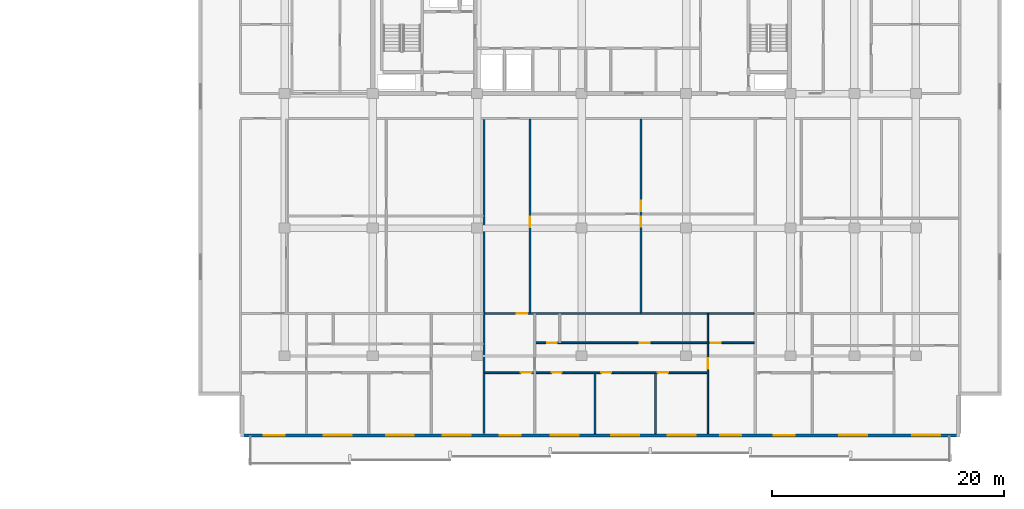
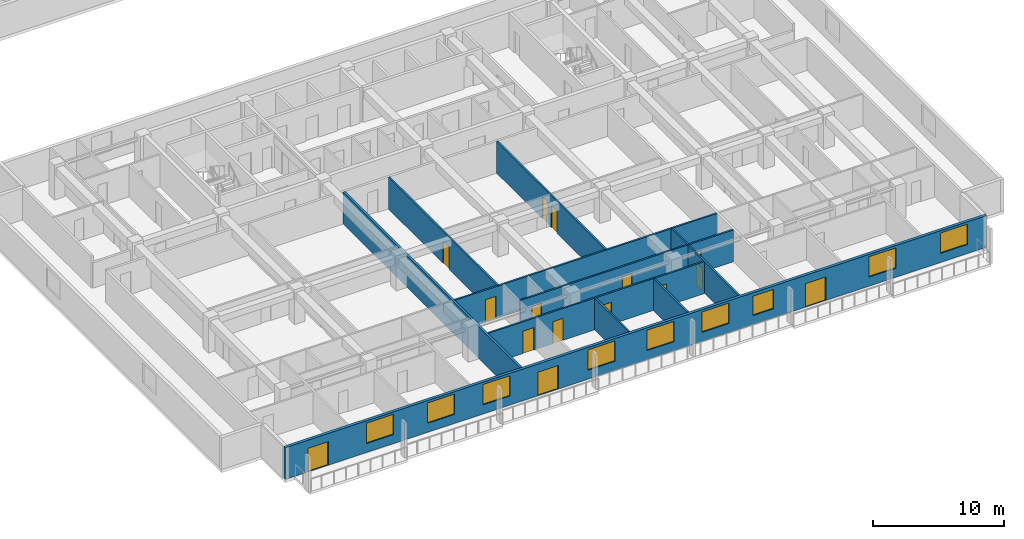
# One storey, part 4 of 23: 15 doors, 11 walls, 9 windows, 24 openings.
"""IFC4 building model written with IfcOpenShell, lengths in metres."""

from ifc_helpers import new_model, si_unit, direction, frame, frame_2d, origin, place, context, subcontext, project, spatial, rectangle, extrude, material, layer, layer_set, type_object, element, fill, save


model = new_model("IFC4")

# Units and contexts
model_context = context("Model", 3, precision=1e-05, world=origin(), true_north=direction((0.0, 1.0)))
body_context = subcontext(model_context, "Body", "Model", "MODEL_VIEW")
ifc_project = project(units=[si_unit("LENGTHUNIT", "METRE"), si_unit("AREAUNIT", "SQUARE_METRE"), si_unit("VOLUMEUNIT", "CUBIC_METRE"), si_unit("PLANEANGLEUNIT", "RADIAN"), si_unit("MASSUNIT", "GRAM", prefix="KILO")], contexts=[model_context])

# Site, building, storey
site_placement = place(None, origin())
site = spatial("IfcSite", under=ifc_project, at=site_placement, CompositionType="ELEMENT")
building_placement = place(site_placement, origin())
building = spatial("IfcBuilding", under=site, at=building_placement, Name="Korimba Cascade Residences", CompositionType="ELEMENT")
storey_placement = place(building_placement, frame((0.0, 0.0, 56.5)))
storey = spatial("IfcBuildingStorey", under=building, at=storey_placement, Name="L15", CompositionType="ELEMENT", Elevation=56.5)

# Wall, openings, doors, windows
ifc_material_1 = material(Name="Precast concrete C40/50", Category="concrete")
ifc_layer_1 = layer(ifc_material_1, 0.25)
ifc_layer_set_1 = layer_set([ifc_layer_1], Name="Precast concrete C40/50")
wall_type_1 = type_object("IfcWallType", Name="EW-LOG-250", PredefinedType="STANDARD", material=ifc_layer_set_1)
wall_1_placement = place(storey_placement, frame((70.699951171875, -11.050048828125, 0.0), z_axis=(0.0, 0.0, 1.0), x_axis=(1.0, 0.0, 0.0)))
wall_1 = element("IfcWall", 1, at=wall_1_placement, inside=storey, type_object=wall_type_1, Name="L15 T2 Perimeter Stone Wall E00", PredefinedType="STANDARD", context=body_context, shape_type="SweptSolid", body=[
    extrude(rectangle(XDim=62.0, YDim=0.25, at=frame_2d((31.0, 0.0))), origin(), (0.0, 0.0, 1.0), 2.969970703125),
])
opening_1_placement = place(wall_1_placement, frame((7.169677734375, 0.0, 0.85009765625)))
opening_1 = element("IfcOpeningElement", 2, at=opening_1_placement, cuts=wall_1, Name="Opening W-01", PredefinedType="OPENING", context=body_context, shape_type="SweptSolid", body=[
    extrude(rectangle(XDim=2.39990234375, YDim=1.89990234375, at=frame_2d((1.199951171875, 0.949951171875))), frame((0.0, 0.135009765625, 0.0), z_axis=(0.0, -1.0, 0.0), x_axis=(1.0, 0.0, 0.0)), (0.0, 0.0, 1.0), 0.27001953125),
])
opening_2_placement = place(wall_1_placement, frame((12.548828125, 0.0, 0.85009765625)))
opening_2 = element("IfcOpeningElement", 3, at=opening_2_placement, cuts=wall_1, Name="Opening W-01", PredefinedType="OPENING", context=body_context, shape_type="SweptSolid", body=[
    extrude(rectangle(XDim=2.39990234375, YDim=1.89990234375, at=frame_2d((1.199951171875, 0.949951171875))), frame((0.0, 0.135009765625, 0.0), z_axis=(0.0, -1.0, 0.0), x_axis=(1.0, 0.0, 0.0)), (0.0, 0.0, 1.0), 0.27001953125),
])
opening_3_placement = place(wall_1_placement, frame((2.0, 0.0, 0.0)))
opening_3 = element("IfcOpeningElement", 4, at=opening_3_placement, cuts=wall_1, Name="Opening D-LG1", PredefinedType="OPENING", context=body_context, shape_type="SweptSolid", body=[
    extrude(rectangle(XDim=1.800048828125, YDim=2.199951171875, at=frame_2d((0.89990234375, 1.10009765625))), frame((0.0, 0.135009765625, 0.0), z_axis=(0.0, -1.0, 0.0), x_axis=(1.0, 0.0, 0.0)), (0.0, 0.0, 1.0), 0.27001953125),
])
opening_4_placement = place(wall_1_placement, frame((17.45361328125, 0.0, 0.85009765625)))
opening_4 = element("IfcOpeningElement", 5, at=opening_4_placement, cuts=wall_1, Name="Opening W-01", PredefinedType="OPENING", context=body_context, shape_type="SweptSolid", body=[
    extrude(rectangle(XDim=2.39990234375, YDim=1.89990234375, at=frame_2d((1.199951171875, 0.949951171875))), frame((0.0, 0.135009765625, 0.0), z_axis=(0.0, -1.0, 0.0), x_axis=(1.0, 0.0, 0.0)), (0.0, 0.0, 1.0), 0.27001953125),
])
opening_5_placement = place(wall_1_placement, frame((26.758544921875, 0.0, 0.85009765625)))
opening_5 = element("IfcOpeningElement", 6, at=opening_5_placement, cuts=wall_1, Name="Opening W-01", PredefinedType="OPENING", context=body_context, shape_type="SweptSolid", body=[
    extrude(rectangle(XDim=2.39990234375, YDim=1.89990234375, at=frame_2d((1.199951171875, 0.949951171875))), frame((0.0, 0.135009765625, 0.0), z_axis=(0.0, -1.0, 0.0), x_axis=(1.0, 0.0, 0.0)), (0.0, 0.0, 1.0), 0.27001953125),
])
opening_6_placement = place(wall_1_placement, frame((31.95849609375, 0.0, 0.85009765625)))
opening_6 = element("IfcOpeningElement", 7, at=opening_6_placement, cuts=wall_1, Name="Opening W-01", PredefinedType="OPENING", context=body_context, shape_type="SweptSolid", body=[
    extrude(rectangle(XDim=2.39990234375, YDim=1.89990234375, at=frame_2d((1.199951171875, 0.949951171875))), frame((0.0, 0.135009765625, 0.0), z_axis=(0.0, -1.0, 0.0), x_axis=(1.0, 0.0, 0.0)), (0.0, 0.0, 1.0), 0.27001953125),
])
opening_7_placement = place(wall_1_placement, frame((36.8193359375, 0.0, 0.85009765625)))
opening_7 = element("IfcOpeningElement", 8, at=opening_7_placement, cuts=wall_1, Name="Opening W-01", PredefinedType="OPENING", context=body_context, shape_type="SweptSolid", body=[
    extrude(rectangle(XDim=2.39990234375, YDim=1.89990234375, at=frame_2d((1.199951171875, 0.949951171875))), frame((0.0, 0.135009765625, 0.0), z_axis=(0.0, -1.0, 0.0), x_axis=(1.0, 0.0, 0.0)), (0.0, 0.0, 1.0), 0.27001953125),
])
opening_8_placement = place(wall_1_placement, frame((22.33349609375, 0.0, 0.0)))
opening_8 = element("IfcOpeningElement", 9, at=opening_8_placement, cuts=wall_1, Name="Opening D-LG1", PredefinedType="OPENING", context=body_context, shape_type="SweptSolid", body=[
    extrude(rectangle(XDim=1.800048828125, YDim=2.199951171875, at=frame_2d((0.89990234375, 1.10009765625))), frame((0.0, 0.135009765625, 0.0), z_axis=(0.0, -1.0, 0.0), x_axis=(1.0, 0.0, 0.0)), (0.0, 0.0, 1.0), 0.27001953125),
])
opening_9_placement = place(wall_1_placement, frame((41.35791015625, 0.0, 0.85009765625)))
opening_9 = element("IfcOpeningElement", 10, at=opening_9_placement, cuts=wall_1, Name="Opening W-02", PredefinedType="OPENING", context=body_context, shape_type="SweptSolid", body=[
    extrude(rectangle(XDim=1.800048828125, YDim=1.800048828125, at=frame_2d((0.89990234375, 0.89990234375))), frame((0.0, 0.135009765625, 0.0), z_axis=(0.0, -1.0, 0.0), x_axis=(1.0, 0.0, 0.0)), (0.0, 0.0, 1.0), 0.27001953125),
])
opening_10_placement = place(wall_1_placement, frame((51.60009765625, 0.0, 0.85009765625)))
opening_10 = element("IfcOpeningElement", 11, at=opening_10_placement, cuts=wall_1, Name="Opening W-01", PredefinedType="OPENING", context=body_context, shape_type="SweptSolid", body=[
    extrude(rectangle(XDim=2.39990234375, YDim=1.89990234375, at=frame_2d((1.199951171875, 0.949951171875))), frame((0.0, 0.135009765625, 0.0), z_axis=(0.0, -1.0, 0.0), x_axis=(1.0, 0.0, 0.0)), (0.0, 0.0, 1.0), 0.27001953125),
])
opening_11_placement = place(wall_1_placement, frame((45.977783203125, 0.0, 0.0)))
opening_11 = element("IfcOpeningElement", 12, at=opening_11_placement, cuts=wall_1, Name="Opening D-LG1", PredefinedType="OPENING", context=body_context, shape_type="SweptSolid", body=[
    extrude(rectangle(XDim=1.800048828125, YDim=2.199951171875, at=frame_2d((0.89990234375, 1.10009765625))), frame((0.0, 0.135009765625, 0.0), z_axis=(0.0, -1.0, 0.0), x_axis=(1.0, 0.0, 0.0)), (0.0, 0.0, 1.0), 0.27001953125),
])
opening_12_placement = place(wall_1_placement, frame((57.89990234375, 0.0, 0.85009765625)))
opening_12 = element("IfcOpeningElement", 13, at=opening_12_placement, cuts=wall_1, Name="Opening W-01", PredefinedType="OPENING", context=body_context, shape_type="SweptSolid", body=[
    extrude(rectangle(XDim=2.39990234375, YDim=1.89990234375, at=frame_2d((1.199951171875, 0.949951171875))), frame((0.0, 0.135009765625, 0.0), z_axis=(0.0, -1.0, 0.0), x_axis=(1.0, 0.0, 0.0)), (0.0, 0.0, 1.0), 0.27001953125),
])
ifc_material_2 = material(Name="Glazed Aluminium Loggia Sliding Door", Category="aluminium")
door_type_1 = type_object("IfcDoorType", Name="DR-EXT-LOG", OperationType="NOTDEFINED", PredefinedType="DOOR", material=ifc_material_2)
door_1_placement = place(opening_3_placement, origin())
door_1 = element("IfcDoor", 14, at=door_1_placement, inside=storey, type_object=door_type_1, Name="L15 T2 Loggia Sliding Door 5", OperationType="SLIDING_TO_RIGHT", OverallHeight=2.199951171875, OverallWidth=1.800048828125, PredefinedType="DOOR", context=body_context, shape_type="SweptSolid", body=[
    extrude(rectangle(XDim=1.800048828125, YDim=2.199951171875, at=frame_2d((0.89990234375, 1.10009765625))), frame((0.0, 0.02490234375, 0.0), z_axis=(0.0, -1.0, 0.0), x_axis=(1.0, 0.0, 0.0)), (0.0, 0.0, 1.0), 0.050048828125),
])
fill(opening_3, door_1)
door_2_placement = place(opening_8_placement, origin())
door_2 = element("IfcDoor", 15, at=door_2_placement, inside=storey, type_object=door_type_1, Name="L15 T2 Loggia Sliding Door 10", OperationType="SLIDING_TO_RIGHT", OverallHeight=2.199951171875, OverallWidth=1.800048828125, PredefinedType="DOOR", context=body_context, shape_type="SweptSolid", body=[
    extrude(rectangle(XDim=1.800048828125, YDim=2.199951171875, at=frame_2d((0.89990234375, 1.10009765625))), frame((0.0, 0.02490234375, 0.0), z_axis=(0.0, -1.0, 0.0), x_axis=(1.0, 0.0, 0.0)), (0.0, 0.0, 1.0), 0.050048828125),
])
fill(opening_8, door_2)
door_3_placement = place(opening_11_placement, origin())
door_3 = element("IfcDoor", 16, at=door_3_placement, inside=storey, type_object=door_type_1, Name="L15 T2 Loggia Sliding Door 13", OperationType="SLIDING_TO_RIGHT", OverallHeight=2.199951171875, OverallWidth=1.800048828125, PredefinedType="DOOR", context=body_context, shape_type="SweptSolid", body=[
    extrude(rectangle(XDim=1.800048828125, YDim=2.199951171875, at=frame_2d((0.89990234375, 1.10009765625))), frame((0.0, 0.02490234375, 0.0), z_axis=(0.0, -1.0, 0.0), x_axis=(1.0, 0.0, 0.0)), (0.0, 0.0, 1.0), 0.050048828125),
])
fill(opening_11, door_3)
ifc_material_3 = material(Name="Double-Glazed Aluminium Window", Category="aluminium")
window_type_1 = type_object("IfcWindowType", Name="WIN-BED-1800", PartitioningType="SINGLE_PANEL", PredefinedType="WINDOW", material=ifc_material_3)
window_1_placement = place(opening_9_placement, origin())
window_1 = element("IfcWindow", 17, at=window_1_placement, inside=storey, type_object=window_type_1, Name="L15 T2 South Facade Window 11", OverallHeight=1.800048828125, OverallWidth=1.800048828125, PartitioningType="SINGLE_PANEL", PredefinedType="WINDOW", context=body_context, shape_type="SweptSolid", body=[
    extrude(rectangle(XDim=1.800048828125, YDim=1.800048828125, at=frame_2d((0.89990234375, 0.89990234375))), frame((0.0, 0.030029296875, 0.0), z_axis=(0.0, -1.0, 0.0), x_axis=(1.0, 0.0, 0.0)), (0.0, 0.0, 1.0), 0.06005859375),
])
fill(opening_9, window_1)
window_type_2 = type_object("IfcWindowType", Name="WIN-RES-2400", PartitioningType="DOUBLE_PANEL_VERTICAL", PredefinedType="WINDOW", material=ifc_material_3)
window_2_placement = place(opening_1_placement, origin())
window_2 = element("IfcWindow", 18, at=window_2_placement, inside=storey, type_object=window_type_2, Name="L15 T2 South Facade Window 3", OverallHeight=1.89990234375, OverallWidth=2.39990234375, PartitioningType="DOUBLE_PANEL_VERTICAL", PredefinedType="WINDOW", context=body_context, shape_type="SweptSolid", body=[
    extrude(rectangle(XDim=2.39990234375, YDim=1.89990234375, at=frame_2d((1.199951171875, 0.949951171875))), frame((0.0, 0.030029296875, 0.0), z_axis=(0.0, -1.0, 0.0), x_axis=(1.0, 0.0, 0.0)), (0.0, 0.0, 1.0), 0.06005859375),
])
fill(opening_1, window_2)
window_3_placement = place(opening_2_placement, origin())
window_3 = element("IfcWindow", 19, at=window_3_placement, inside=storey, type_object=window_type_2, Name="L15 T2 South Facade Window 4", OverallHeight=1.89990234375, OverallWidth=2.39990234375, PartitioningType="DOUBLE_PANEL_VERTICAL", PredefinedType="WINDOW", context=body_context, shape_type="SweptSolid", body=[
    extrude(rectangle(XDim=2.39990234375, YDim=1.89990234375, at=frame_2d((1.199951171875, 0.949951171875))), frame((0.0, 0.030029296875, 0.0), z_axis=(0.0, -1.0, 0.0), x_axis=(1.0, 0.0, 0.0)), (0.0, 0.0, 1.0), 0.06005859375),
])
fill(opening_2, window_3)
window_4_placement = place(opening_4_placement, origin())
window_4 = element("IfcWindow", 20, at=window_4_placement, inside=storey, type_object=window_type_2, Name="L15 T2 South Facade Window 6", OverallHeight=1.89990234375, OverallWidth=2.39990234375, PartitioningType="DOUBLE_PANEL_VERTICAL", PredefinedType="WINDOW", context=body_context, shape_type="SweptSolid", body=[
    extrude(rectangle(XDim=2.39990234375, YDim=1.89990234375, at=frame_2d((1.199951171875, 0.949951171875))), frame((0.0, 0.030029296875, 0.0), z_axis=(0.0, -1.0, 0.0), x_axis=(1.0, 0.0, 0.0)), (0.0, 0.0, 1.0), 0.06005859375),
])
fill(opening_4, window_4)
window_5_placement = place(opening_5_placement, origin())
window_5 = element("IfcWindow", 21, at=window_5_placement, inside=storey, type_object=window_type_2, Name="L15 T2 South Facade Window 7", OverallHeight=1.89990234375, OverallWidth=2.39990234375, PartitioningType="DOUBLE_PANEL_VERTICAL", PredefinedType="WINDOW", context=body_context, shape_type="SweptSolid", body=[
    extrude(rectangle(XDim=2.39990234375, YDim=1.89990234375, at=frame_2d((1.199951171875, 0.949951171875))), frame((0.0, 0.030029296875, 0.0), z_axis=(0.0, -1.0, 0.0), x_axis=(1.0, 0.0, 0.0)), (0.0, 0.0, 1.0), 0.06005859375),
])
fill(opening_5, window_5)
window_6_placement = place(opening_6_placement, origin())
window_6 = element("IfcWindow", 22, at=window_6_placement, inside=storey, type_object=window_type_2, Name="L15 T2 South Facade Window 8", OverallHeight=1.89990234375, OverallWidth=2.39990234375, PartitioningType="DOUBLE_PANEL_VERTICAL", PredefinedType="WINDOW", context=body_context, shape_type="SweptSolid", body=[
    extrude(rectangle(XDim=2.39990234375, YDim=1.89990234375, at=frame_2d((1.199951171875, 0.949951171875))), frame((0.0, 0.030029296875, 0.0), z_axis=(0.0, -1.0, 0.0), x_axis=(1.0, 0.0, 0.0)), (0.0, 0.0, 1.0), 0.06005859375),
])
fill(opening_6, window_6)
window_7_placement = place(opening_7_placement, origin())
window_7 = element("IfcWindow", 23, at=window_7_placement, inside=storey, type_object=window_type_2, Name="L15 T2 South Facade Window 9", OverallHeight=1.89990234375, OverallWidth=2.39990234375, PartitioningType="DOUBLE_PANEL_VERTICAL", PredefinedType="WINDOW", context=body_context, shape_type="SweptSolid", body=[
    extrude(rectangle(XDim=2.39990234375, YDim=1.89990234375, at=frame_2d((1.199951171875, 0.949951171875))), frame((0.0, 0.030029296875, 0.0), z_axis=(0.0, -1.0, 0.0), x_axis=(1.0, 0.0, 0.0)), (0.0, 0.0, 1.0), 0.06005859375),
])
fill(opening_7, window_7)
window_8_placement = place(opening_10_placement, origin())
window_8 = element("IfcWindow", 24, at=window_8_placement, inside=storey, type_object=window_type_2, Name="L15 T2 South Facade Window 12", OverallHeight=1.89990234375, OverallWidth=2.39990234375, PartitioningType="DOUBLE_PANEL_VERTICAL", PredefinedType="WINDOW", context=body_context, shape_type="SweptSolid", body=[
    extrude(rectangle(XDim=2.39990234375, YDim=1.89990234375, at=frame_2d((1.199951171875, 0.949951171875))), frame((0.0, 0.030029296875, 0.0), z_axis=(0.0, -1.0, 0.0), x_axis=(1.0, 0.0, 0.0)), (0.0, 0.0, 1.0), 0.06005859375),
])
fill(opening_10, window_8)
window_9_placement = place(opening_12_placement, origin())
window_9 = element("IfcWindow", 25, at=window_9_placement, inside=storey, type_object=window_type_2, Name="L15 T2 South Facade Window 14", OverallHeight=1.89990234375, OverallWidth=2.39990234375, PartitioningType="DOUBLE_PANEL_VERTICAL", PredefinedType="WINDOW", context=body_context, shape_type="SweptSolid", body=[
    extrude(rectangle(XDim=2.39990234375, YDim=1.89990234375, at=frame_2d((1.199951171875, 0.949951171875))), frame((0.0, 0.030029296875, 0.0), z_axis=(0.0, -1.0, 0.0), x_axis=(1.0, 0.0, 0.0)), (0.0, 0.0, 1.0), 0.06005859375),
])
fill(opening_12, window_9)

# Wall
ifc_layer_2 = layer(ifc_material_1, 0.199951171875)
ifc_layer_set_2 = layer_set([ifc_layer_2], Name="Precast concrete C40/50")
wall_type_2 = type_object("IfcWallType", Name="WAL-IT-200", PredefinedType="PARTITIONING", material=ifc_layer_set_2)
wall_2_placement = place(storey_placement, frame((91.6884765625, -10.89990234375, 0.0), z_axis=(0.0, 0.0, 1.0), x_axis=(0.0, 1.0, 0.0)))
element("IfcWall", 26, at=wall_2_placement, inside=storey, type_object=wall_type_2, Name="L15 Partition Wall WAL-L15-T2-DEM-1", PredefinedType="PARTITIONING", context=body_context, shape_type="SweptSolid", body=[
    extrude(rectangle(XDim=27.06982421875, YDim=0.199951171875, at=frame_2d((13.534912109375, 0.0))), origin(), (0.0, 0.0, 1.0), 2.969970703125),
])

# Wall, openings, doors
ifc_material_4 = material(Name="Insulated Acoustic Stud Partition", Category="gypsum")
ifc_layer_3 = layer(ifc_material_4, 0.14990234375)
ifc_layer_set_3 = layer_set([ifc_layer_3], Name="Insulated Acoustic Stud Partition")
wall_type_3 = type_object("IfcWallType", Name="WAL-PART-150", PredefinedType="PARTITIONING", material=ifc_layer_set_3)
wall_3_placement = place(storey_placement, frame((105.227294921875, -0.510009765625, 0.0), z_axis=(0.0, 0.0, 1.0), x_axis=(0.0, 1.0, 0.0)))
wall_3 = element("IfcWall", 27, at=wall_3_placement, inside=storey, type_object=wall_type_3, Name="L15 Partition Wall WAL-L15-T2-U02-FMV", PredefinedType="PARTITIONING", context=body_context, shape_type="SweptSolid", body=[
    extrude(rectangle(XDim=16.699951171875, YDim=0.14990234375, at=frame_2d((8.35009765625, 0.0))), origin(), (0.0, 0.0, 1.0), 2.969970703125),
])
opening_13_placement = place(wall_3_placement, frame((7.43994140625, 0.0, 0.0)))
opening_13 = element("IfcOpeningElement", 28, at=opening_13_placement, cuts=wall_3, Name="Opening D-BT1", PredefinedType="OPENING", context=body_context, shape_type="SweptSolid", body=[
    extrude(rectangle(XDim=0.840087890625, YDim=2.0400390625, at=frame_2d((0.419921875, 1.02001953125))), frame((0.0, 0.0849609375, 0.0), z_axis=(0.0, -1.0, 0.0), x_axis=(1.0, 0.0, 0.0)), (0.0, 0.0, 1.0), 0.169921875),
])
opening_14_placement = place(wall_3_placement, frame((8.780029296875, 0.0, 0.0)))
opening_14 = element("IfcOpeningElement", 29, at=opening_14_placement, cuts=wall_3, Name="Opening D-IN2", PredefinedType="OPENING", context=body_context, shape_type="SweptSolid", body=[
    extrude(rectangle(XDim=0.8798828125, YDim=2.06005859375, at=frame_2d((0.43994140625, 1.030029296875))), frame((0.0, 0.0849609375, 0.0), z_axis=(0.0, -1.0, 0.0), x_axis=(1.0, 0.0, 0.0)), (0.0, 0.0, 1.0), 0.169921875),
])
ifc_material_5 = material(Name="Moisture-Resistant Bathroom Timber Door", Category="wood")
door_type_2 = type_object("IfcDoorType", Name="DR-INT-850", OperationType="NOTDEFINED", PredefinedType="DOOR", material=ifc_material_5)
door_4_placement = place(opening_13_placement, origin())
door_4 = element("IfcDoor", 30, at=door_4_placement, inside=storey, type_object=door_type_2, Name="L15-T2-U02 Wardrobe Door", OperationType="SINGLE_SWING_LEFT", OverallHeight=2.0400390625, OverallWidth=0.840087890625, PredefinedType="DOOR", context=body_context, shape_type="SweptSolid", body=[
    extrude(rectangle(XDim=0.840087890625, YDim=2.0400390625, at=frame_2d((0.419921875, 1.02001953125))), frame((0.0, 0.02490234375, 0.0), z_axis=(0.0, -1.0, 0.0), x_axis=(1.0, 0.0, 0.0)), (0.0, 0.0, 1.0), 0.050048828125),
])
fill(opening_13, door_4)
ifc_material_6 = material(Name="Acoustic Timber Bedroom Door", Category="wood")
door_type_3 = type_object("IfcDoorType", Name="DR-INT-880", OperationType="NOTDEFINED", PredefinedType="DOOR", material=ifc_material_6)
door_5_placement = place(opening_14_placement, origin())
door_5 = element("IfcDoor", 31, at=door_5_placement, inside=storey, type_object=door_type_3, Name="L15-T2-U02 Music Lounge Door", OperationType="SINGLE_SWING_RIGHT", OverallHeight=2.06005859375, OverallWidth=0.8798828125, PredefinedType="DOOR", context=body_context, shape_type="SweptSolid", body=[
    extrude(rectangle(XDim=0.8798828125, YDim=2.06005859375, at=frame_2d((0.43994140625, 1.030029296875))), frame((0.0, 0.02490234375, 0.0), z_axis=(0.0, -1.0, 0.0), x_axis=(1.0, 0.0, 0.0)), (0.0, 0.0, 1.0), 0.050048828125),
])
fill(opening_14, door_5)

# Wall, opening, door
wall_4_placement = place(storey_placement, frame((95.658447265625, -0.510009765625, 0.0), z_axis=(0.0, 0.0, 1.0), x_axis=(0.0, 1.0, 0.0)))
wall_4 = element("IfcWall", 32, at=wall_4_placement, inside=storey, type_object=wall_type_3, Name="L15 Partition Wall WAL-L15-T2-U02-FV", PredefinedType="PARTITIONING", context=body_context, shape_type="SweptSolid", body=[
    extrude(rectangle(XDim=16.699951171875, YDim=0.14990234375, at=frame_2d((8.35009765625, 0.0))), origin(), (0.0, 0.0, 1.0), 2.969970703125),
])
opening_15_placement = place(wall_4_placement, frame((7.39990234375, 0.0, 0.0)))
opening_15 = element("IfcOpeningElement", 33, at=opening_15_placement, cuts=wall_4, Name="Opening D-IN2", PredefinedType="OPENING", context=body_context, shape_type="SweptSolid", body=[
    extrude(rectangle(XDim=0.8798828125, YDim=2.06005859375, at=frame_2d((0.43994140625, 1.030029296875))), frame((0.0, 0.0849609375, 0.0), z_axis=(0.0, -1.0, 0.0), x_axis=(1.0, 0.0, 0.0)), (0.0, 0.0, 1.0), 0.169921875),
])
door_6_placement = place(opening_15_placement, origin())
door_6 = element("IfcDoor", 34, at=door_6_placement, inside=storey, type_object=door_type_3, Name="L15-T2-U02 Media Lounge Door", OperationType="SINGLE_SWING_RIGHT", OverallHeight=2.06005859375, OverallWidth=0.8798828125, PredefinedType="DOOR", context=body_context, shape_type="SweptSolid", body=[
    extrude(rectangle(XDim=0.8798828125, YDim=2.06005859375, at=frame_2d((0.43994140625, 1.030029296875))), frame((0.0, 0.02490234375, 0.0), z_axis=(0.0, -1.0, 0.0), x_axis=(1.0, 0.0, 0.0)), (0.0, 0.0, 1.0), 0.050048828125),
])
fill(opening_15, door_6)

# Walls
for number, where, z_axis, x_axis, name in (
    (35, (101.258544921875, -10.89990234375, 0.0), (0.0, 0.0, 1.0), (0.0, 1.0, 0.0), "L15 Partition Wall WAL-L15-T2-U02-VB2"),
    (36, (106.45849609375, -10.89990234375, 0.0), (0.0, 0.0, 1.0), (0.0, 1.0, 0.0), "L15 Partition Wall WAL-L15-T2-U02-VB3"),
):
    element("IfcWall", number, at=place(storey_placement, frame(where, z_axis=z_axis, x_axis=x_axis)), inside=storey, type_object=wall_type_3, Name=name, PredefinedType="PARTITIONING", context=body_context, shape_type="SweptSolid", body=[
        extrude(rectangle(XDim=5.169921875, YDim=0.14990234375, at=frame_2d((2.5849609375, 0.0))), origin(), (0.0, 0.0, 1.0), 2.969970703125),
    ])
wall_5_placement = place(storey_placement, frame((110.97998046875, -3.06005859375, 0.0), z_axis=(0.0, 0.0, 1.0), x_axis=(0.0, 1.0, 0.0)))
element("IfcWall", 37, at=wall_5_placement, inside=storey, type_object=wall_type_3, Name="L15 Partition Wall WAL-L15-T2-U02-VBATH", PredefinedType="PARTITIONING", context=body_context, shape_type="SweptSolid", body=[
    extrude(rectangle(XDim=2.469970703125, YDim=0.14990234375, at=frame_2d((1.23486328125, 0.0))), origin(), (0.0, 0.0, 1.0), 2.969970703125),
])

# Wall, opening, door
wall_6_placement = place(storey_placement, frame((110.97998046875, -10.89990234375, 0.0), z_axis=(0.0, 0.0, 1.0), x_axis=(0.0, 1.0, 0.0)))
wall_6 = element("IfcWall", 38, at=wall_6_placement, inside=storey, type_object=wall_type_3, Name="L15 Partition Wall WAL-L15-T2-U02-V2FULL", PredefinedType="PARTITIONING", context=body_context, shape_type="SweptSolid", body=[
    extrude(rectangle(XDim=7.7998046875, YDim=0.14990234375, at=frame_2d((3.89990234375, 0.0))), origin(), (0.0, 0.0, 1.0), 2.969970703125),
])
opening_16_placement = place(wall_6_placement, frame((5.570068359375, 0.0, 0.0)))
opening_16 = element("IfcOpeningElement", 39, at=opening_16_placement, cuts=wall_6, Name="Opening D-IN1", PredefinedType="OPENING", context=body_context, shape_type="SweptSolid", body=[
    extrude(rectangle(XDim=0.919921875, YDim=2.080078125, at=frame_2d((0.4599609375, 1.0400390625))), frame((0.0, 0.0849609375, 0.0), z_axis=(0.0, -1.0, 0.0), x_axis=(1.0, 0.0, 0.0)), (0.0, 0.0, 1.0), 0.169921875),
])
ifc_material_7 = material(Name="Acoustic Timber Living Door", Category="wood")
door_type_4 = type_object("IfcDoorType", Name="DR-INT-920", OperationType="NOTDEFINED", PredefinedType="DOOR", material=ifc_material_7)
door_7_placement = place(opening_16_placement, origin())
door_7 = element("IfcDoor", 40, at=door_7_placement, inside=storey, type_object=door_type_4, Name="L15-T2-U02 Master Bedroom Door", OperationType="SINGLE_SWING_RIGHT", OverallHeight=2.080078125, OverallWidth=0.919921875, PredefinedType="DOOR", context=body_context, shape_type="SweptSolid", body=[
    extrude(rectangle(XDim=0.919921875, YDim=2.080078125, at=frame_2d((0.4599609375, 1.0400390625))), frame((0.0, 0.02490234375, 0.0), z_axis=(0.0, -1.0, 0.0), x_axis=(1.0, 0.0, 0.0)), (0.0, 0.0, 1.0), 0.050048828125),
])
fill(opening_16, door_7)

# Wall, openings, doors
wall_7_placement = place(storey_placement, frame((96.098388671875, -3.080078125, 0.0), z_axis=(0.0, 0.0, 1.0), x_axis=(1.0, 0.0, 0.0)))
wall_7 = element("IfcWall", 41, at=wall_7_placement, inside=storey, type_object=wall_type_3, Name="L15 Partition Wall WAL-L15-T2-U02-HWALL", PredefinedType="PARTITIONING", context=body_context, shape_type="SweptSolid", body=[
    extrude(rectangle(XDim=18.87744140625, YDim=0.14990234375, at=frame_2d((9.438720703125, 0.0))), origin(), (0.0, 0.0, 1.0), 2.969970703125),
])
opening_17_placement = place(wall_7_placement, frame((1.033935546875, 0.0, 0.0)))
opening_17 = element("IfcOpeningElement", 42, at=opening_17_placement, cuts=wall_7, Name="Opening D-BT1", PredefinedType="OPENING", context=body_context, shape_type="SweptSolid", body=[
    extrude(rectangle(XDim=0.840087890625, YDim=2.0400390625, at=frame_2d((0.419921875, 1.02001953125))), frame((0.0, 0.0849609375, 0.0), z_axis=(0.0, -1.0, 0.0), x_axis=(1.0, 0.0, 0.0)), (0.0, 0.0, 1.0), 0.169921875),
])
opening_18_placement = place(wall_7_placement, frame((9.018798828125, 0.0, 0.0)))
opening_18 = element("IfcOpeningElement", 43, at=opening_18_placement, cuts=wall_7, Name="Opening D-BT1", PredefinedType="OPENING", context=body_context, shape_type="SweptSolid", body=[
    extrude(rectangle(XDim=0.840087890625, YDim=2.0400390625, at=frame_2d((0.419921875, 1.02001953125))), frame((0.0, 0.0849609375, 0.0), z_axis=(0.0, -1.0, 0.0), x_axis=(1.0, 0.0, 0.0)), (0.0, 0.0, 1.0), 0.169921875),
])
opening_19_placement = place(wall_7_placement, frame((15.131591796875, 0.0, 0.0)))
opening_19 = element("IfcOpeningElement", 44, at=opening_19_placement, cuts=wall_7, Name="Opening D-BT1", PredefinedType="OPENING", context=body_context, shape_type="SweptSolid", body=[
    extrude(rectangle(XDim=0.840087890625, YDim=2.0400390625, at=frame_2d((0.419921875, 1.02001953125))), frame((0.0, 0.0849609375, 0.0), z_axis=(0.0, -1.0, 0.0), x_axis=(1.0, 0.0, 0.0)), (0.0, 0.0, 1.0), 0.169921875),
])
door_8_placement = place(opening_17_placement, origin())
door_8 = element("IfcDoor", 45, at=door_8_placement, inside=storey, type_object=door_type_2, Name="L15-T2-U02 Family Bathroom Door", OperationType="SINGLE_SWING_LEFT", OverallHeight=2.0400390625, OverallWidth=0.840087890625, PredefinedType="DOOR", context=body_context, shape_type="SweptSolid", body=[
    extrude(rectangle(XDim=0.840087890625, YDim=2.0400390625, at=frame_2d((0.419921875, 1.02001953125))), frame((0.0, 0.02490234375, 0.0), z_axis=(0.0, -1.0, 0.0), x_axis=(1.0, 0.0, 0.0)), (0.0, 0.0, 1.0), 0.050048828125),
])
fill(opening_17, door_8)
door_9_placement = place(opening_18_placement, origin())
door_9 = element("IfcDoor", 46, at=door_9_placement, inside=storey, type_object=door_type_2, Name="L15-T2-U02 Dressing Room Door", OperationType="SINGLE_SWING_RIGHT", OverallHeight=2.0400390625, OverallWidth=0.840087890625, PredefinedType="DOOR", context=body_context, shape_type="SweptSolid", body=[
    extrude(rectangle(XDim=0.840087890625, YDim=2.0400390625, at=frame_2d((0.419921875, 1.02001953125))), frame((0.0, 0.02490234375, 0.0), z_axis=(0.0, -1.0, 0.0), x_axis=(1.0, 0.0, 0.0)), (0.0, 0.0, 1.0), 0.050048828125),
])
fill(opening_18, door_9)
door_10_placement = place(opening_19_placement, origin())
door_10 = element("IfcDoor", 47, at=door_10_placement, inside=storey, type_object=door_type_2, Name="L15-T2-U02 En-Suite Door", OperationType="SINGLE_SWING_LEFT", OverallHeight=2.0400390625, OverallWidth=0.840087890625, PredefinedType="DOOR", context=body_context, shape_type="SweptSolid", body=[
    extrude(rectangle(XDim=0.840087890625, YDim=2.0400390625, at=frame_2d((0.419921875, 1.02001953125))), frame((0.0, 0.02490234375, 0.0), z_axis=(0.0, -1.0, 0.0), x_axis=(1.0, 0.0, 0.0)), (0.0, 0.0, 1.0), 0.050048828125),
])
fill(opening_19, door_10)

# Wall, opening, door
wall_8_placement = place(storey_placement, frame((91.7685546875, -0.550048828125, 0.0), z_axis=(0.0, 0.0, 1.0), x_axis=(1.0, 0.0, 0.0)))
wall_8 = element("IfcWall", 48, at=wall_8_placement, inside=storey, type_object=wall_type_3, Name="L15 Partition Wall WAL-L15-T2-U02-MW", PredefinedType="PARTITIONING", context=body_context, shape_type="SweptSolid", body=[
    extrude(rectangle(XDim=23.207275390625, YDim=0.14990234375, at=frame_2d((11.603515625, 0.0))), origin(), (0.0, 0.0, 1.0), 2.969970703125),
])
opening_20_placement = place(wall_8_placement, frame((2.719970703125, 0.0, 0.0)))
opening_20 = element("IfcOpeningElement", 49, at=opening_20_placement, cuts=wall_8, Name="Opening D-IN1", PredefinedType="OPENING", context=body_context, shape_type="SweptSolid", body=[
    extrude(rectangle(XDim=0.919921875, YDim=2.080078125, at=frame_2d((0.4599609375, 1.0400390625))), frame((0.0, 0.0849609375, 0.0), z_axis=(0.0, -1.0, 0.0), x_axis=(1.0, 0.0, 0.0)), (0.0, 0.0, 1.0), 0.169921875),
])
door_11_placement = place(opening_20_placement, origin())
door_11 = element("IfcDoor", 50, at=door_11_placement, inside=storey, type_object=door_type_4, Name="L15-T2-U02 Kitchen Door", OperationType="SINGLE_SWING_RIGHT", OverallHeight=2.080078125, OverallWidth=0.919921875, PredefinedType="DOOR", context=body_context, shape_type="SweptSolid", body=[
    extrude(rectangle(XDim=0.919921875, YDim=2.080078125, at=frame_2d((0.4599609375, 1.0400390625))), frame((0.0, 0.02490234375, 0.0), z_axis=(0.0, -1.0, 0.0), x_axis=(1.0, 0.0, 0.0)), (0.0, 0.0, 1.0), 0.050048828125),
])
fill(opening_20, door_11)

# Wall, openings, doors
wall_9_placement = place(storey_placement, frame((91.7685546875, -5.64990234375, 0.0), z_axis=(0.0, 0.0, 1.0), x_axis=(1.0, 0.0, 0.0)))
wall_9 = element("IfcWall", 51, at=wall_9_placement, inside=storey, type_object=wall_type_3, Name="L15 Partition Wall WAL-L15-T2-U02-HZ", PredefinedType="PARTITIONING", context=body_context, shape_type="SweptSolid", body=[
    extrude(rectangle(XDim=19.21142578125, YDim=0.14990234375, at=frame_2d((9.605712890625, 0.0))), origin(), (0.0, 0.0, 1.0), 2.969970703125),
])
opening_21_placement = place(wall_9_placement, frame((3.10009765625, 0.0, 0.0)))
opening_21 = element("IfcOpeningElement", 52, at=opening_21_placement, cuts=wall_9, Name="Opening D-IN0", PredefinedType="OPENING", context=body_context, shape_type="SweptSolid", body=[
    extrude(rectangle(XDim=0.93994140625, YDim=2.10009765625, at=frame_2d((0.469970703125, 1.050048828125))), frame((0.0, 0.0849609375, 0.0), z_axis=(0.0, -1.0, 0.0), x_axis=(1.0, 0.0, 0.0)), (0.0, 0.0, 1.0), 0.169921875),
])
opening_22_placement = place(wall_9_placement, frame((5.751708984375, 0.0, 0.0)))
opening_22 = element("IfcOpeningElement", 53, at=opening_22_placement, cuts=wall_9, Name="Opening D-IN2", PredefinedType="OPENING", context=body_context, shape_type="SweptSolid", body=[
    extrude(rectangle(XDim=0.8798828125, YDim=2.06005859375, at=frame_2d((0.43994140625, 1.030029296875))), frame((0.0, 0.0849609375, 0.0), z_axis=(0.0, -1.0, 0.0), x_axis=(1.0, 0.0, 0.0)), (0.0, 0.0, 1.0), 0.169921875),
])
opening_23_placement = place(wall_9_placement, frame((10.0205078125, 0.0, 0.0)))
opening_23 = element("IfcOpeningElement", 54, at=opening_23_placement, cuts=wall_9, Name="Opening D-IN2", PredefinedType="OPENING", context=body_context, shape_type="SweptSolid", body=[
    extrude(rectangle(XDim=0.8798828125, YDim=2.06005859375, at=frame_2d((0.43994140625, 1.030029296875))), frame((0.0, 0.0849609375, 0.0), z_axis=(0.0, -1.0, 0.0), x_axis=(1.0, 0.0, 0.0)), (0.0, 0.0, 1.0), 0.169921875),
])
opening_24_placement = place(wall_9_placement, frame((14.909912109375, 0.0, 0.0)))
opening_24 = element("IfcOpeningElement", 55, at=opening_24_placement, cuts=wall_9, Name="Opening D-IN2", PredefinedType="OPENING", context=body_context, shape_type="SweptSolid", body=[
    extrude(rectangle(XDim=0.8798828125, YDim=2.06005859375, at=frame_2d((0.43994140625, 1.030029296875))), frame((0.0, 0.0849609375, 0.0), z_axis=(0.0, -1.0, 0.0), x_axis=(1.0, 0.0, 0.0)), (0.0, 0.0, 1.0), 0.169921875),
])
door_12_placement = place(opening_22_placement, origin())
door_12 = element("IfcDoor", 56, at=door_12_placement, inside=storey, type_object=door_type_3, Name="L15-T2-U02 Bedroom 2 Door", OperationType="SINGLE_SWING_RIGHT", OverallHeight=2.06005859375, OverallWidth=0.8798828125, PredefinedType="DOOR", context=body_context, shape_type="SweptSolid", body=[
    extrude(rectangle(XDim=0.8798828125, YDim=2.06005859375, at=frame_2d((0.43994140625, 1.030029296875))), frame((0.0, 0.02490234375, 0.0), z_axis=(0.0, -1.0, 0.0), x_axis=(1.0, 0.0, 0.0)), (0.0, 0.0, 1.0), 0.050048828125),
])
fill(opening_22, door_12)
door_13_placement = place(opening_23_placement, origin())
door_13 = element("IfcDoor", 57, at=door_13_placement, inside=storey, type_object=door_type_3, Name="L15-T2-U02 Bedroom 3 Door", OperationType="SINGLE_SWING_LEFT", OverallHeight=2.06005859375, OverallWidth=0.8798828125, PredefinedType="DOOR", context=body_context, shape_type="SweptSolid", body=[
    extrude(rectangle(XDim=0.8798828125, YDim=2.06005859375, at=frame_2d((0.43994140625, 1.030029296875))), frame((0.0, 0.02490234375, 0.0), z_axis=(0.0, -1.0, 0.0), x_axis=(1.0, 0.0, 0.0)), (0.0, 0.0, 1.0), 0.050048828125),
])
fill(opening_23, door_13)
door_14_placement = place(opening_24_placement, origin())
door_14 = element("IfcDoor", 58, at=door_14_placement, inside=storey, type_object=door_type_3, Name="L15-T2-U02 Study Door", OperationType="SINGLE_SWING_RIGHT", OverallHeight=2.06005859375, OverallWidth=0.8798828125, PredefinedType="DOOR", context=body_context, shape_type="SweptSolid", body=[
    extrude(rectangle(XDim=0.8798828125, YDim=2.06005859375, at=frame_2d((0.43994140625, 1.030029296875))), frame((0.0, 0.02490234375, 0.0), z_axis=(0.0, -1.0, 0.0), x_axis=(1.0, 0.0, 0.0)), (0.0, 0.0, 1.0), 0.050048828125),
])
fill(opening_24, door_14)
ifc_material_8 = material(Name="Acoustic Timber Living Archway Door", Category="wood")
door_type_5 = type_object("IfcDoorType", Name="DR-INT-950", OperationType="NOTDEFINED", PredefinedType="DOOR", material=ifc_material_8)
door_15_placement = place(opening_21_placement, origin())
door_15 = element("IfcDoor", 59, at=door_15_placement, inside=storey, type_object=door_type_5, Name="L15-T2-U02 Living Room Door", OperationType="SINGLE_SWING_LEFT", OverallHeight=2.10009765625, OverallWidth=0.93994140625, PredefinedType="DOOR", context=body_context, shape_type="SweptSolid", body=[
    extrude(rectangle(XDim=0.93994140625, YDim=2.10009765625, at=frame_2d((0.469970703125, 1.050048828125))), frame((0.0, 0.02490234375, 0.0), z_axis=(0.0, -1.0, 0.0), x_axis=(1.0, 0.0, 0.0)), (0.0, 0.0, 1.0), 0.050048828125),
])
fill(opening_21, door_15)

save(model, "model.ifc")
